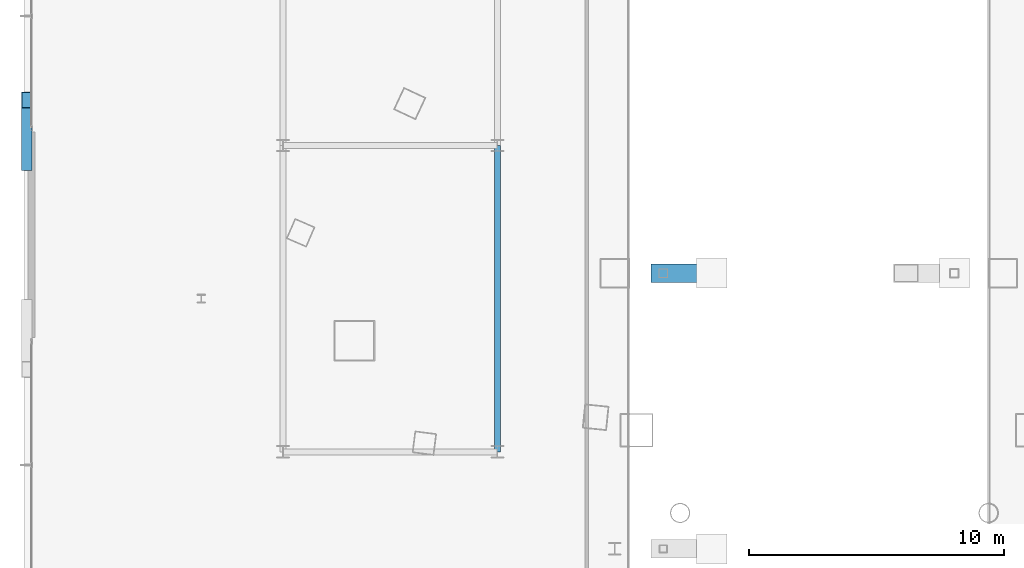
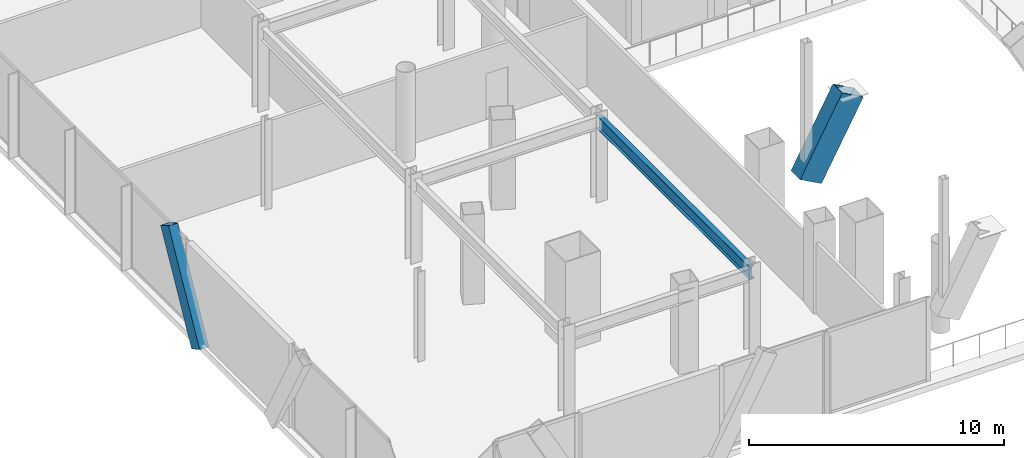
# One storey, part 9 of 42: 2 members, 1 beam.
"""IFC4 building model written with IfcOpenShell, lengths in metres."""

from ifc_helpers import new_model, si_unit, direction, frame, origin, origin_2d, place, context, subcontext, project, spatial, hollow_rectangle, i_section, extrude, material, material_profile, profile_set, type_object, element, save


model = new_model("IFC4")

# Units and contexts
model_context = context("Model", 3, precision=1e-05, world=origin(), true_north=direction((0.0, 1.0)))
body_context = subcontext(model_context, "Body", "Model", "MODEL_VIEW")
ifc_project = project(units=[si_unit("LENGTHUNIT", "METRE"), si_unit("AREAUNIT", "SQUARE_METRE"), si_unit("VOLUMEUNIT", "CUBIC_METRE"), si_unit("PLANEANGLEUNIT", "RADIAN"), si_unit("MASSUNIT", "GRAM", prefix="KILO")], contexts=[model_context])

# Site, building, storey
site_placement = place(None, origin())
site = spatial("IfcSite", under=ifc_project, at=site_placement, CompositionType="ELEMENT")
building_placement = place(site_placement, origin())
building = spatial("IfcBuilding", under=site, at=building_placement, Name="Orvanel Arch Residences", CompositionType="ELEMENT")
storey_placement = place(building_placement, frame((0.0, 0.0, 5.5)))
storey = spatial("IfcBuildingStorey", under=building, at=storey_placement, Name="L01", CompositionType="ELEMENT", Elevation=5.5)

# Member
ifc_material_1 = material(Name="Structural steel AS/NZS 3678 Grade 350", Category="steel")
ifc_material_profile_1 = material_profile(ifc_material_1, hollow_rectangle(XDim=0.719970703125, YDim=1.10009765625, WallThickness=0.035888671875, at=origin_2d()), Name="BOX1100x720x36")
ifc_profile_set_1 = profile_set([ifc_material_profile_1], Name="Structural steel AS/NZS 3678 Grade 350")
member_type_1 = type_object("IfcMemberType", Name="AR-1100BOX", PredefinedType="USERDEFINED", material=ifc_profile_set_1)
member_1_placement = place(storey_placement, frame((26.300048828125, 13.0, 1.778076171875), z_axis=(0.478671116441, 0.0, 0.877994283743), x_axis=(0.0, 1.0, 0.0)))
element("IfcMember", 1, at=member_1_placement, inside=storey, type_object=member_type_1, Name="Monumental Podium Arch Rib MID Segment 2", ObjectType="ARCH_SEGMENT", PredefinedType="USERDEFINED", context=body_context, shape_type="SweptSolid", body=[
    extrude(hollow_rectangle(XDim=0.719970703125, YDim=1.10009765625, WallThickness=0.035888671875, at=origin_2d()), origin(), (0.0, 0.0, 1.0), 3.96923828125),
])

# Beam
ifc_material_2 = material(Name="Structural steel AS/NZS 3679.1 Grade 300 (300 MPa)", Category="steel")
ifc_material_profile_2 = material_profile(ifc_material_2, i_section(OverallWidth=0.22900390625, OverallDepth=0.612060546875, WebThickness=0.011962890625, FlangeThickness=0.01953125, at=origin_2d()), Name="610UB125")
ifc_profile_set_2 = profile_set([ifc_material_profile_2], Name="Structural steel AS/NZS 3679.1 Grade 300 (300 MPa)")
beam_type = type_object("IfcBeamType", Name="BG-610UB", PredefinedType="BEAM", material=ifc_profile_set_2)
beam_placement = place(storey_placement, frame((19.800048828125, 6.0, 3.714111328125), z_axis=(0.0, 1.0, 0.0), x_axis=(-1.0, 0.0, 0.0)))
element("IfcBeam", 2, at=beam_placement, inside=storey, type_object=beam_type, Name="L01 North-South Podium Girder XW20-S", PredefinedType="BEAM", context=body_context, shape_type="SweptSolid", body=[
    extrude(i_section(OverallWidth=0.22900390625, OverallDepth=0.612060546875, WebThickness=0.011962890625, FlangeThickness=0.01953125, at=origin_2d()), origin(), (0.0, 0.0, 1.0), 12.0),
])

# Member
ifc_material_profile_3 = material_profile(ifc_material_1, hollow_rectangle(XDim=0.419921875, YDim=0.719970703125, WallThickness=0.02490234375, at=origin_2d()), Name="RHS720x420x25")
ifc_profile_set_3 = profile_set([ifc_material_profile_3], Name="Structural steel AS/NZS 3678 Grade 350")
member_type_2 = type_object("IfcMemberType", Name="BR-720RHS-EXT", PredefinedType="BRACE", material=ifc_profile_set_3)
member_2_placement = place(storey_placement, frame((1.360107421875, 17.345947265625, -0.300048828125), z_axis=(0.0, 0.480038670678, 0.877247328097), x_axis=(-1.0, 0.0, 0.0)))
element("IfcMember", 3, at=member_2_placement, inside=storey, type_object=member_type_2, Name="L01 Podium Multi-Storey V-Strut Pair W1 Leg 2", PredefinedType="BRACE", context=body_context, shape_type="SweptSolid", body=[
    extrude(hollow_rectangle(XDim=0.419921875, YDim=0.719970703125, WallThickness=0.02490234375, at=origin_2d()), origin(), (0.0, 0.0, 1.0), 5.072509765625),
])

save(model, "model.ifc")
